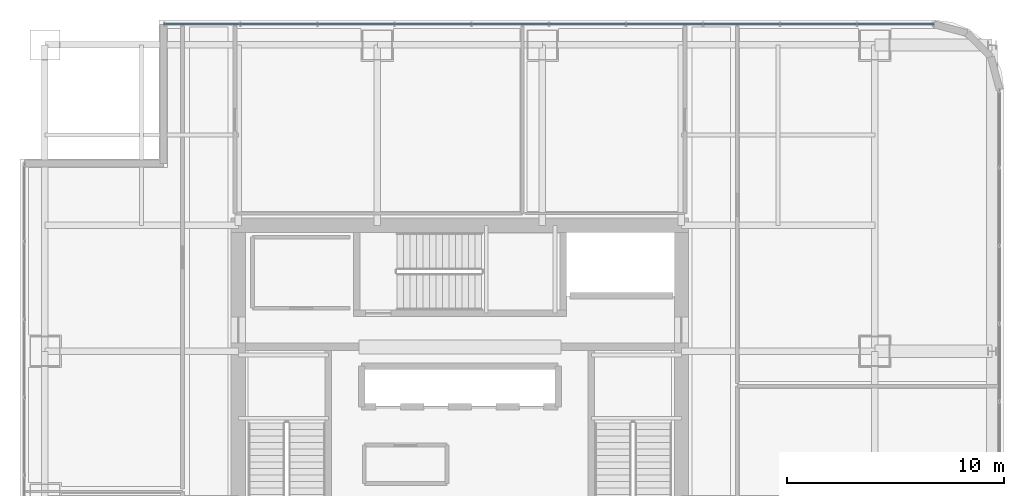
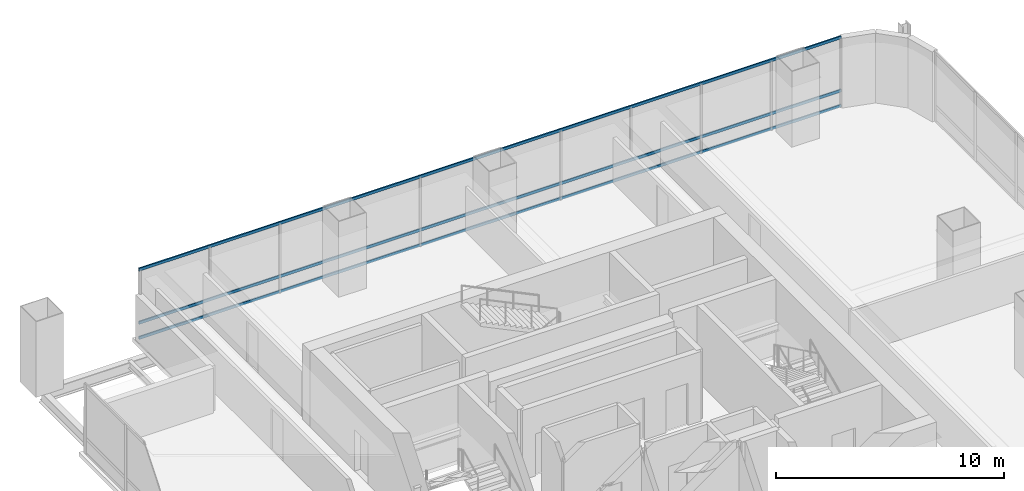
# One storey, part 24 of 35: 3 members, 1 element without a shape of its own.
"""IFC4 building model written with IfcOpenShell, lengths in metres."""

from ifc_helpers import new_model, si_unit, direction, frame, origin, origin_2d, place, context, subcontext, project, spatial, hollow_rectangle, extrude, material, material_profile, profile_set, type_object, element, aggregate, save


model = new_model("IFC4")

# Units and contexts
model_context = context("Model", 3, precision=1e-05, world=origin(), true_north=direction((0.0, 1.0)))
body_context = subcontext(model_context, "Body", "Model", "MODEL_VIEW")
ifc_project = project(units=[si_unit("LENGTHUNIT", "METRE"), si_unit("AREAUNIT", "SQUARE_METRE"), si_unit("VOLUMEUNIT", "CUBIC_METRE"), si_unit("PLANEANGLEUNIT", "RADIAN"), si_unit("MASSUNIT", "GRAM", prefix="KILO")], contexts=[model_context])

# Site, building, storey
site_placement = place(None, origin())
site = spatial("IfcSite", under=ifc_project, at=site_placement, CompositionType="ELEMENT")
building_placement = place(site_placement, origin())
building = spatial("IfcBuilding", under=site, at=building_placement, Name="Punatoya Terracotta Tower", CompositionType="ELEMENT")
storey_placement = place(building_placement, frame((0.0, 0.0, 232.949951171875)))
storey = spatial("IfcBuildingStorey", under=building, at=storey_placement, Name="L55", CompositionType="ELEMENT", Elevation=232.949951171875)

# Curtain wall, members
ifc_material_1 = material(Name="Aluminium 6063-T6 + Double Low-E Glass", Category="aluminium")
curtain_wall_type = type_object("IfcCurtainWallType", Name="CW-M2", PredefinedType="NOTDEFINED", material=ifc_material_1)
curtain_wall_placement = place(storey_placement, origin())
curtain_wall = element("IfcCurtainWall", 1, at=curtain_wall_placement, inside=storey, type_object=curtain_wall_type, Name="L55 Curtain Wall CW-L55-N08-1", PredefinedType="NOTDEFINED")
ifc_material_2 = material(Name="Aluminium 6063-T6", Category="aluminium")
ifc_material_profile = material_profile(ifc_material_2, hollow_rectangle(XDim=0.068115234375, YDim=0.14990234375, WallThickness=0.00390625, at=origin_2d()))
ifc_profile_set = profile_set([ifc_material_profile], Name="Aluminium 6063-T6")
member_type = type_object("IfcMemberType", Name="CW-TRN-TYP", PredefinedType="USERDEFINED", material=ifc_profile_set)
member_1_placement = place(storey_placement, frame((21.8369140625, 18.449951171875, 0.0400390625), z_axis=(-1.0, 0.0, 0.0), x_axis=(0.0, -1.0, 0.0)))
member_1 = element("IfcMember", 2, at=member_1_placement, type_object=member_type, Name="CW-L55-N08-1 Transom 1", ObjectType="TRANSOM", PredefinedType="USERDEFINED", context=body_context, shape_type="SweptSolid", body=[
    extrude(hollow_rectangle(XDim=0.068115234375, YDim=0.14990234375, WallThickness=0.00390625, at=origin_2d()), origin(), (0.0, 0.0, 1.0), 35.48681640625),
])
member_2_placement = place(storey_placement, frame((21.8369140625, 18.449951171875, 0.85009765625), z_axis=(-1.0, 0.0, 0.0), x_axis=(0.0, -1.0, 0.0)))
member_2 = element("IfcMember", 3, at=member_2_placement, type_object=member_type, Name="CW-L55-N08-1 Transom 2", ObjectType="TRANSOM", PredefinedType="USERDEFINED", context=body_context, shape_type="SweptSolid", body=[
    extrude(hollow_rectangle(XDim=0.068115234375, YDim=0.14990234375, WallThickness=0.00390625, at=origin_2d()), origin(), (0.0, 0.0, 1.0), 35.48681640625),
])
member_3_placement = place(storey_placement, frame((21.8369140625, 18.449951171875, 3.68994140625), z_axis=(-1.0, 0.0, 0.0), x_axis=(0.0, -1.0, 0.0)))
member_3 = element("IfcMember", 4, at=member_3_placement, type_object=member_type, Name="CW-L55-N08-1 Transom 3", ObjectType="TRANSOM", PredefinedType="USERDEFINED", context=body_context, shape_type="SweptSolid", body=[
    extrude(hollow_rectangle(XDim=0.068115234375, YDim=0.14990234375, WallThickness=0.00390625, at=origin_2d()), origin(), (0.0, 0.0, 1.0), 35.48681640625),
])
aggregate(curtain_wall, [member_1, member_2, member_3])

save(model, "model.ifc")
